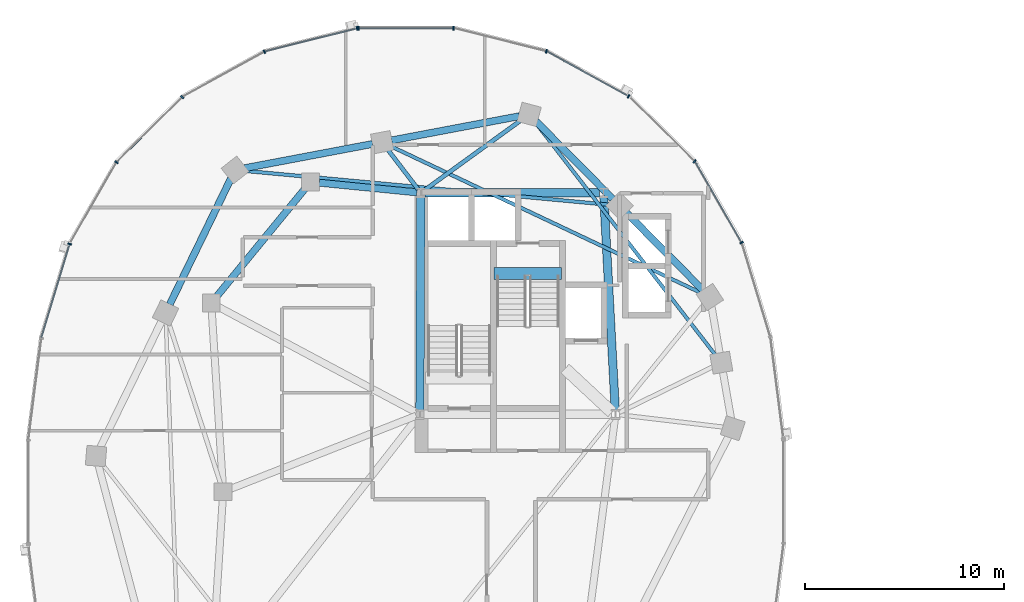
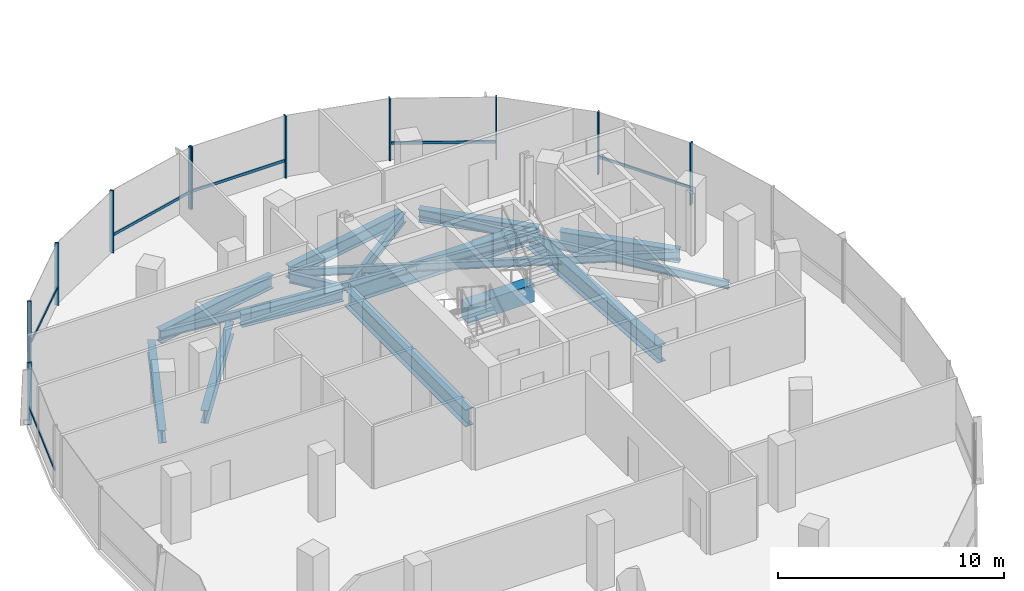
# One storey, part 5 of 22: 17 members, 16 beams, 2 elements without a shape of their own.
"""IFC4 building model written with IfcOpenShell, lengths in metres."""

from ifc_helpers import new_model, si_unit, direction, frame, origin, origin_2d, place, context, subcontext, project, spatial, rectangle, i_section, extrude, material, material_profile, profile_set, type_object, element, aggregate, save


model = new_model("IFC4")

# Units and contexts
model_context = context("Model", 3, precision=1e-05, world=origin(), true_north=direction((0.0, 1.0)))
body_context = subcontext(model_context, "Body", "Model", "MODEL_VIEW")
ifc_project = project(units=[si_unit("LENGTHUNIT", "METRE"), si_unit("AREAUNIT", "SQUARE_METRE"), si_unit("VOLUMEUNIT", "CUBIC_METRE"), si_unit("PLANEANGLEUNIT", "RADIAN"), si_unit("MASSUNIT", "GRAM", prefix="KILO"), si_unit("THERMODYNAMICTEMPERATUREUNIT", "KELVIN"), si_unit("POWERUNIT", "WATT")], contexts=[model_context])

# Site, building, storey
site_placement = place(None, origin())
site = spatial("IfcSite", under=ifc_project, at=site_placement, CompositionType="ELEMENT")
building_placement = place(site_placement, origin())
building = spatial("IfcBuilding", under=site, at=building_placement, Name="Cundina Bronze Exchange", CompositionType="ELEMENT")
storey_placement = place(building_placement, frame((0.0, 0.0, 147.60009765625)))
storey = spatial("IfcBuildingStorey", under=building, at=storey_placement, Name="L38", CompositionType="ELEMENT", Elevation=147.60009765625)

# Beams
ifc_material_1 = material(Name="Concrete C60/75", Category="concrete")
ifc_material_profile_1 = material_profile(ifc_material_1, rectangle(XDim=0.60009765625, YDim=0.949951171875, at=origin_2d()), Name="RC600X950", Category="concrete")
ifc_profile_set_1 = profile_set([ifc_material_profile_1], Name="Concrete C60/75")
beam_type_1 = type_object("IfcBeamType", Name="BM-COUP-RC950", PredefinedType="LINTEL", material=ifc_profile_set_1)
beam_1_placement = place(storey_placement, frame((-27.56005859375, 10.97998046875, -0.47509765625), z_axis=(1.0, 0.0, 0.0), x_axis=(0.0, 1.0, 0.0)))
element("IfcBeam", 1, at=beam_1_placement, inside=storey, type_object=beam_type_1, Name="L38 Stair W2 Landing Header Beam", PredefinedType="LINTEL", context=body_context, shape_type="SweptSolid", body=[
    extrude(rectangle(XDim=0.60009765625, YDim=0.949951171875, at=origin_2d()), origin(), (0.0, 0.0, 1.0), 3.400146484375),
])
ifc_material_2 = material(Name="Steel ASTM A992 Grade 50", Category="steel")
ifc_material_profile_2 = material_profile(ifc_material_2, i_section(OverallWidth=0.2119140625, OverallDepth=0.5439453125, WebThickness=0.01318359375, FlangeThickness=0.021240234375, FilletRadius=0.013916015625, at=origin_2d()), Name="W21X83", Category="steel")
ifc_profile_set_2 = profile_set([ifc_material_profile_2], Name="Steel ASTM A992 Grade 50")
beam_type_2 = type_object("IfcBeamType", Name="BM-FLR-W21A", PredefinedType="BEAM", material=ifc_profile_set_2)
beam_2_placement = place(storey_placement, frame((-31.084716796875, 15.169677734375, -0.51220703125), z_axis=(0.809693047063, 0.586853618492, 0.0), x_axis=(-0.586853618492, 0.809693047063, 0.0)))
element("IfcBeam", 2, at=beam_2_placement, inside=storey, type_object=beam_type_2, Name="L38 Leg W Radial Floor Beam 04", PredefinedType="BEAM", context=body_context, shape_type="SweptSolid", body=[
    extrude(i_section(OverallWidth=0.2119140625, OverallDepth=0.5439453125, WebThickness=0.01318359375, FlangeThickness=0.021240234375, FilletRadius=0.013916015625, at=origin_2d()), origin(), (0.0, 0.0, 1.0), 6.038818359375),
])
beam_3_placement = place(storey_placement, frame((-31.373779296875, 15.2119140625, -0.51220703125), z_axis=(-0.607450107571, 0.794357832977, 0.0), x_axis=(-0.794357832977, -0.607450107571, 0.0)))
element("IfcBeam", 3, at=beam_3_placement, inside=storey, type_object=beam_type_2, Name="L38 Leg W Radial Floor Beam 05", PredefinedType="BEAM", context=body_context, shape_type="SweptSolid", body=[
    extrude(i_section(OverallWidth=0.2119140625, OverallDepth=0.5439453125, WebThickness=0.01318359375, FlangeThickness=0.021240234375, FilletRadius=0.013916015625, at=origin_2d()), origin(), (0.0, 0.0, 1.0), 2.518310546875),
])
ifc_material_profile_3 = material_profile(ifc_material_2, i_section(OverallWidth=0.178955078125, OverallDepth=0.409912109375, WebThickness=0.0087890625, FlangeThickness=0.014404296875, FilletRadius=0.010986328125, at=origin_2d()), Name="W16X45", Category="steel")
ifc_profile_set_3 = profile_set([ifc_material_profile_3], Name="Steel ASTM A992 Grade 50")
beam_type_3 = type_object("IfcBeamType", Name="BM-JST-W16", PredefinedType="JOIST", material=ifc_profile_set_3)
beam_4_placement = place(storey_placement, frame((-16.423583984375, 6.885986328125, -0.445068359375), z_axis=(-0.61208354334, 0.790793105668, 0.0), x_axis=(-0.790793105668, -0.61208354334, 0.0)))
element("IfcBeam", 4, at=beam_4_placement, inside=storey, type_object=beam_type_3, Name="L38 Leg W Lobe Floor Joist 01-04", PredefinedType="JOIST", context=body_context, shape_type="SweptSolid", body=[
    extrude(i_section(OverallWidth=0.178955078125, OverallDepth=0.409912109375, WebThickness=0.0087890625, FlangeThickness=0.014404296875, FilletRadius=0.010986328125, at=origin_2d()), origin(), (0.0, 0.0, 1.0), 14.830810546875),
])
beam_5_placement = place(storey_placement, frame((-17.14111328125, 10.008544921875, -0.445068359375), z_axis=(-0.904074252188, 0.427375416385, 0.0), x_axis=(-0.427375416385, -0.904074252188, 0.0)))
element("IfcBeam", 5, at=beam_5_placement, inside=storey, type_object=beam_type_3, Name="L38 Leg W Lobe Floor Joist 02-05", PredefinedType="JOIST", context=body_context, shape_type="SweptSolid", body=[
    extrude(i_section(OverallWidth=0.178955078125, OverallDepth=0.409912109375, WebThickness=0.0087890625, FlangeThickness=0.014404296875, FilletRadius=0.010986328125, at=origin_2d()), origin(), (0.0, 0.0, 1.0), 17.274658203125),
])
beam_6_placement = place(storey_placement, frame((-21.73583984375, 14.4453125, -0.445068359375), z_axis=(-0.995701840093, 0.092616659595, 0.0), x_axis=(-0.092616659595, -0.995701840093, 0.0)))
element("IfcBeam", 6, at=beam_6_placement, inside=storey, type_object=beam_type_3, Name="L38 Leg W Lobe Floor Joist 03-06", PredefinedType="JOIST", context=body_context, shape_type="SweptSolid", body=[
    extrude(i_section(OverallWidth=0.178955078125, OverallDepth=0.409912109375, WebThickness=0.0087890625, FlangeThickness=0.014404296875, FilletRadius=0.010986328125, at=origin_2d()), origin(), (0.0, 0.0, 1.0), 18.45751953125),
])
ifc_material_profile_4 = material_profile(ifc_material_2, i_section(OverallWidth=0.35498046875, OverallDepth=0.695068359375, WebThickness=0.015380859375, FlangeThickness=0.02490234375, FilletRadius=0.01806640625, at=origin_2d()), Name="W27X146", Category="steel")
ifc_profile_set_4 = profile_set([ifc_material_profile_4], Name="Steel ASTM A992 Grade 50")
beam_type_4 = type_object("IfcBeamType", Name="BM-RING-W27", PredefinedType="USERDEFINED", material=ifc_profile_set_4)
beam_7_placement = place(storey_placement, frame((-31.452880859375, 15.070068359375, -0.587646484375), z_axis=(-0.995123020608, 0.098641643622, 0.0), x_axis=(-0.098641643622, -0.995123020608, 0.0)))
element("IfcBeam", 7, at=beam_7_placement, inside=storey, type_object=beam_type_4, Name="L38 W Inner Structural Ring Girder 01", ObjectType="GIRDER", PredefinedType="USERDEFINED", context=body_context, shape_type="SweptSolid", body=[
    extrude(i_section(OverallWidth=0.35498046875, OverallDepth=0.695068359375, WebThickness=0.015380859375, FlangeThickness=0.02490234375, FilletRadius=0.01806640625, at=origin_2d()), origin(), (0.0, 0.0, 1.0), 4.935302734375),
])
beam_8_placement = place(storey_placement, frame((-37.07763671875, 15.26123046875, -0.587646484375), z_axis=(-0.633912590175, -0.77340469873, 0.0), x_axis=(0.77340469873, -0.633912590175, 0.0)))
element("IfcBeam", 8, at=beam_8_placement, inside=storey, type_object=beam_type_4, Name="L38 W Inner Structural Ring Girder 02", ObjectType="GIRDER", PredefinedType="USERDEFINED", context=body_context, shape_type="SweptSolid", body=[
    extrude(i_section(OverallWidth=0.35498046875, OverallDepth=0.695068359375, WebThickness=0.015380859375, FlangeThickness=0.02490234375, FilletRadius=0.01806640625, at=origin_2d()), origin(), (0.0, 0.0, 1.0), 7.01123046875),
])
beam_9_placement = place(storey_placement, frame((-17.043212890625, 10.14697265625, -0.587646484375), z_axis=(-0.703230112979, 0.710962311378, 0.0), x_axis=(-0.710962311378, -0.703230112979, 0.0)))
element("IfcBeam", 9, at=beam_9_placement, inside=storey, type_object=beam_type_4, Name="L38 W Perimeter Ring Girder 02", ObjectType="GIRDER", PredefinedType="USERDEFINED", context=body_context, shape_type="SweptSolid", body=[
    extrude(i_section(OverallWidth=0.35498046875, OverallDepth=0.695068359375, WebThickness=0.015380859375, FlangeThickness=0.02490234375, FilletRadius=0.01806640625, at=origin_2d()), origin(), (0.0, 0.0, 1.0), 5.493896484375),
])
beam_10_placement = place(storey_placement, frame((-21.59326171875, 14.746826171875, -0.587646484375), z_axis=(-0.703207895705, 0.710984286337, 0.0), x_axis=(-0.710984286337, -0.703207895705, 0.0)))
element("IfcBeam", 10, at=beam_10_placement, inside=storey, type_object=beam_type_4, Name="L38 W Perimeter Ring Girder 03", ObjectType="GIRDER", PredefinedType="USERDEFINED", context=body_context, shape_type="SweptSolid", body=[
    extrude(i_section(OverallWidth=0.35498046875, OverallDepth=0.695068359375, WebThickness=0.015380859375, FlangeThickness=0.02490234375, FilletRadius=0.01806640625, at=origin_2d()), origin(), (0.0, 0.0, 1.0), 5.494140625),
])
beam_11_placement = place(storey_placement, frame((-26.279541015625, 18.9091796875, -0.587646484375), z_axis=(-0.982571532667, -0.185884865421, 0.0), x_axis=(0.185884865421, -0.982571532667, 0.0)))
element("IfcBeam", 11, at=beam_11_placement, inside=storey, type_object=beam_type_4, Name="L38 W Perimeter Ring Girder 04", ObjectType="GIRDER", PredefinedType="USERDEFINED", context=body_context, shape_type="SweptSolid", body=[
    extrude(i_section(OverallWidth=0.35498046875, OverallDepth=0.695068359375, WebThickness=0.015380859375, FlangeThickness=0.02490234375, FilletRadius=0.01806640625, at=origin_2d()), origin(), (0.0, 0.0, 1.0), 6.55517578125),
])
beam_12_placement = place(storey_placement, frame((-33.679443359375, 17.50927734375, -0.587646484375), z_axis=(-0.982572819495, -0.185878063226, 0.0), x_axis=(0.185878063226, -0.982572819495, 0.0)))
element("IfcBeam", 12, at=beam_12_placement, inside=storey, type_object=beam_type_4, Name="L38 W Perimeter Ring Girder 05", ObjectType="GIRDER", PredefinedType="USERDEFINED", context=body_context, shape_type="SweptSolid", body=[
    extrude(i_section(OverallWidth=0.35498046875, OverallDepth=0.695068359375, WebThickness=0.015380859375, FlangeThickness=0.02490234375, FilletRadius=0.01806640625, at=origin_2d()), origin(), (0.0, 0.0, 1.0), 6.555419921875),
])
beam_13_placement = place(storey_placement, frame((-40.8134765625, 15.760986328125, -0.587646484375), z_axis=(-0.437196998825, -0.89936576776, 0.0), x_axis=(0.89936576776, -0.437196998825, 0.0)))
element("IfcBeam", 13, at=beam_13_placement, inside=storey, type_object=beam_type_4, Name="L38 W Perimeter Ring Girder 06", ObjectType="GIRDER", PredefinedType="USERDEFINED", context=body_context, shape_type="SweptSolid", body=[
    extrude(i_section(OverallWidth=0.35498046875, OverallDepth=0.695068359375, WebThickness=0.015380859375, FlangeThickness=0.02490234375, FilletRadius=0.01806640625, at=origin_2d()), origin(), (0.0, 0.0, 1.0), 7.029541015625),
])
ifc_material_profile_5 = material_profile(ifc_material_2, i_section(OverallWidth=0.41796875, OverallDepth=0.927001953125, WebThickness=0.019287109375, FlangeThickness=0.031982421875, FilletRadius=0.02392578125, at=origin_2d()), Name="W36X231", Category="steel")
ifc_profile_set_5 = profile_set([ifc_material_profile_5], Name="Steel ASTM A992 Grade 50")
beam_type_5 = type_object("IfcBeamType", Name="BM-WRN-W36B", PredefinedType="USERDEFINED", material=ifc_profile_set_5)
beam_14_placement = place(storey_placement, frame((-21.4609375, 4.103759765625, -0.70361328125), z_axis=(-0.053739193498, 0.998555005537, 0.0), x_axis=(-0.998555005537, -0.053739193498, 0.0)))
element("IfcBeam", 14, at=beam_14_placement, inside=storey, type_object=beam_type_5, Name="L38 W Core Perimeter Tie Girder 2", ObjectType="GIRDER", PredefinedType="USERDEFINED", context=body_context, shape_type="SweptSolid", body=[
    extrude(i_section(OverallWidth=0.41796875, OverallDepth=0.927001953125, WebThickness=0.019287109375, FlangeThickness=0.031982421875, FilletRadius=0.02392578125, at=origin_2d()), origin(), (0.0, 0.0, 1.0), 10.758056640625),
])
beam_15_placement = place(storey_placement, frame((-22.25390625, 15.050048828125, -0.70361328125), z_axis=(-1.0, 0.0, 0.0), x_axis=(0.0, -1.0, 0.0)))
element("IfcBeam", 15, at=beam_15_placement, inside=storey, type_object=beam_type_5, Name="L38 W Core Perimeter Tie Girder 3", ObjectType="GIRDER", PredefinedType="USERDEFINED", context=body_context, shape_type="SweptSolid", body=[
    extrude(i_section(OverallWidth=0.41796875, OverallDepth=0.927001953125, WebThickness=0.019287109375, FlangeThickness=0.031982421875, FilletRadius=0.02392578125, at=origin_2d()), origin(), (0.0, 0.0, 1.0), 8.7919921875),
])
beam_16_placement = place(storey_placement, frame((-31.2509765625, 14.845947265625, -0.70361328125), z_axis=(-0.004477329608, -0.99998997671, 0.0), x_axis=(0.99998997671, -0.004477329608, 0.0)))
element("IfcBeam", 16, at=beam_16_placement, inside=storey, type_object=beam_type_5, Name="L38 W Core Perimeter Tie Girder 4", ObjectType="GIRDER", PredefinedType="USERDEFINED", context=body_context, shape_type="SweptSolid", body=[
    extrude(i_section(OverallWidth=0.41796875, OverallDepth=0.927001953125, WebThickness=0.019287109375, FlangeThickness=0.031982421875, FilletRadius=0.02392578125, at=origin_2d()), origin(), (0.0, 0.0, 1.0), 10.741943359375),
])

# Curtain wall, members
ifc_material_3 = material(Name="Anodised Bronze Aluminium 6063-T6", Category="aluminium")
curtain_wall_type = type_object("IfcCurtainWallType", Name="CWS-WST-PIN", PredefinedType="NOTDEFINED", material=ifc_material_3)
curtain_wall_1_placement = place(storey_placement, origin())
curtain_wall_1 = element("IfcCurtainWall", 17, at=curtain_wall_1_placement, inside=storey, type_object=curtain_wall_type, Name="L38 CW-04 Curtain Wall Run CWR-L38-W1", PredefinedType="NOTDEFINED")
ifc_material_profile_6 = material_profile(ifc_material_3, rectangle(XDim=0.070068359375, YDim=0.18994140625, at=origin_2d()), Name="AL70X190", Category="aluminium")
ifc_profile_set_6 = profile_set([ifc_material_profile_6], Name="Anodised Bronze Aluminium 6063-T6")
member_type_1 = type_object("IfcMemberType", Name="CWM-MUL-190", PredefinedType="MULLION", material=ifc_profile_set_6)
member_1_placement = place(storey_placement, frame((-15.10205078125, 12.541259765625, 0.0), z_axis=(0.0, 0.0, 1.0), x_axis=(-0.498487739754, 0.866896748936, 0.0)))
member_1 = element("IfcMember", 18, at=member_1_placement, type_object=member_type_1, Name="CW-04 Mullion 3", PredefinedType="MULLION", context=body_context, shape_type="SweptSolid", body=[
    extrude(rectangle(XDim=0.070068359375, YDim=0.18994140625, at=origin_2d()), origin(), (0.0, 0.0, 1.0), 3.35986328125),
])
member_2_placement = place(storey_placement, frame((-17.469482421875, 16.640380859375, 0.0), z_axis=(0.0, 0.0, 1.0), x_axis=(-0.712026045991, 0.702153052995, 0.0)))
member_2 = element("IfcMember", 19, at=member_2_placement, type_object=member_type_1, Name="CW-04 Mullion 4", PredefinedType="MULLION", context=body_context, shape_type="SweptSolid", body=[
    extrude(rectangle(XDim=0.070068359375, YDim=0.18994140625, at=origin_2d()), origin(), (0.0, 0.0, 1.0), 3.35986328125),
])
member_3_placement = place(storey_placement, frame((-20.79345703125, 19.906005859375, 0.0), z_axis=(0.0, 0.0, 1.0), x_axis=(-0.875885937035, 0.482518212408, 0.0)))
member_3 = element("IfcMember", 20, at=member_3_placement, type_object=member_type_1, Name="CW-04 Mullion 5", PredefinedType="MULLION", context=body_context, shape_type="SweptSolid", body=[
    extrude(rectangle(XDim=0.070068359375, YDim=0.18994140625, at=origin_2d()), origin(), (0.0, 0.0, 1.0), 3.35986328125),
])
member_4_placement = place(storey_placement, frame((-24.932373046875, 22.17626953125, 0.0), z_axis=(0.0, 0.0, 1.0), x_axis=(-0.970084240161, 0.242768546132, 0.0)))
member_4 = element("IfcMember", 21, at=member_4_placement, type_object=member_type_1, Name="CW-04 Mullion 6", PredefinedType="MULLION", context=body_context, shape_type="SweptSolid", body=[
    extrude(rectangle(XDim=0.070068359375, YDim=0.18994140625, at=origin_2d()), origin(), (0.0, 0.0, 1.0), 3.35986328125),
])
member_5_placement = place(storey_placement, frame((-29.60595703125, 23.3369140625, 0.0), z_axis=(0.0, 0.0, 1.0), x_axis=(-1.0, 0.0, 0.0)))
member_5 = element("IfcMember", 22, at=member_5_placement, type_object=member_type_1, Name="CW-04 Mullion 7", PredefinedType="MULLION", context=body_context, shape_type="SweptSolid", body=[
    extrude(rectangle(XDim=0.070068359375, YDim=0.18994140625, at=origin_2d()), origin(), (0.0, 0.0, 1.0), 3.35986328125),
])
member_6_placement = place(storey_placement, frame((-34.39404296875, 23.3369140625, 0.0), z_axis=(0.0, 0.0, 1.0), x_axis=(-1.0, 0.0, 0.0)))
member_6 = element("IfcMember", 23, at=member_6_placement, type_object=member_type_1, Name="CW-04 End Mullion", PredefinedType="MULLION", context=body_context, shape_type="SweptSolid", body=[
    extrude(rectangle(XDim=0.070068359375, YDim=0.18994140625, at=origin_2d()), origin(), (0.0, 0.0, 1.0), 3.35986328125),
])

curtain_wall_2_placement = place(storey_placement, origin())
curtain_wall_2 = element("IfcCurtainWall", 24, at=curtain_wall_2_placement, inside=storey, type_object=curtain_wall_type, Name="L38 CW-04 Curtain Wall Run CWR-L38-W2", PredefinedType="NOTDEFINED")
member_7_placement = place(storey_placement, frame((-34.462646484375, 23.32861328125, 0.0), z_axis=(0.0, 0.0, 1.0), x_axis=(-0.970084240161, -0.242768546132, 0.0)))
member_7 = element("IfcMember", 25, at=member_7_placement, type_object=member_type_1, Name="CW-04 Mullion 1", PredefinedType="MULLION", context=body_context, shape_type="SweptSolid", body=[
    extrude(rectangle(XDim=0.070068359375, YDim=0.18994140625, at=origin_2d()), origin(), (0.0, 0.0, 1.0), 3.35986328125),
])
member_8_placement = place(storey_placement, frame((-39.13037109375, 22.151611328125, 0.0), z_axis=(0.0, 0.0, 1.0), x_axis=(-0.875885937035, -0.482518212408, 0.0)))
member_8 = element("IfcMember", 26, at=member_8_placement, type_object=member_type_1, Name="CW-04 Mullion 2", PredefinedType="MULLION", context=body_context, shape_type="SweptSolid", body=[
    extrude(rectangle(XDim=0.070068359375, YDim=0.18994140625, at=origin_2d()), origin(), (0.0, 0.0, 1.0), 3.35986328125),
])
member_9_placement = place(storey_placement, frame((-43.259033203125, 19.86669921875, 0.0), z_axis=(0.0, 0.0, 1.0), x_axis=(-0.712026045991, -0.702153052995, 0.0)))
member_9 = element("IfcMember", 27, at=member_9_placement, type_object=member_type_1, Name="CW-04 Mullion 3", PredefinedType="MULLION", context=body_context, shape_type="SweptSolid", body=[
    extrude(rectangle(XDim=0.070068359375, YDim=0.18994140625, at=origin_2d()), origin(), (0.0, 0.0, 1.0), 3.35986328125),
])
member_10_placement = place(storey_placement, frame((-46.57080078125, 16.588134765625, 0.0), z_axis=(0.0, 0.0, 1.0), x_axis=(-0.498487739754, -0.866896748936, 0.0)))
member_10 = element("IfcMember", 28, at=member_10_placement, type_object=member_type_1, Name="CW-04 Mullion 4", PredefinedType="MULLION", context=body_context, shape_type="SweptSolid", body=[
    extrude(rectangle(XDim=0.070068359375, YDim=0.18994140625, at=origin_2d()), origin(), (0.0, 0.0, 1.0), 3.35986328125),
])
member_11_placement = place(storey_placement, frame((-48.92626953125, 12.4755859375, 0.0), z_axis=(0.0, 0.0, 1.0), x_axis=(-0.290034140915, -0.957016299288, 0.0)))
member_11 = element("IfcMember", 29, at=member_11_placement, type_object=member_type_1, Name="CW-04 Mullion 5", PredefinedType="MULLION", context=body_context, shape_type="SweptSolid", body=[
    extrude(rectangle(XDim=0.070068359375, YDim=0.18994140625, at=origin_2d()), origin(), (0.0, 0.0, 1.0), 3.35986328125),
])

# Member
ifc_material_profile_7 = material_profile(ifc_material_3, rectangle(XDim=0.06494140625, YDim=0.14990234375, at=origin_2d()), Name="AL65X150", Category="aluminium")
ifc_profile_set_7 = profile_set([ifc_material_profile_7], Name="Anodised Bronze Aluminium 6063-T6")
member_type_2 = type_object("IfcMemberType", Name="CWM-TRN-150", PredefinedType="USERDEFINED", material=ifc_profile_set_7)
member_12_placement = place(storey_placement, frame((-15.121337890625, 12.574462890625, 0.919921875), z_axis=(-0.498479967047, 0.866901218394, 0.0), x_axis=(-0.866901218394, -0.498479967047, 0.0)))
member_12 = element("IfcMember", 30, at=member_12_placement, type_object=member_type_2, Name="CW-04 Spandrel Transom 3", ObjectType="TRANSOM", PredefinedType="USERDEFINED", context=body_context, shape_type="SweptSolid", body=[
    extrude(rectangle(XDim=0.06494140625, YDim=0.14990234375, at=origin_2d()), origin(), (0.0, 0.0, 1.0), 4.66845703125),
])

member_13_placement = place(storey_placement, frame((-20.8271484375, 19.924560546875, 0.919921875), z_axis=(-0.875878981549, 0.482530838062, 0.0), x_axis=(-0.482530838062, -0.875878981549, 0.0)))
member_13 = element("IfcMember", 31, at=member_13_placement, type_object=member_type_2, Name="CW-04 Spandrel Transom 5", ObjectType="TRANSOM", PredefinedType="USERDEFINED", context=body_context, shape_type="SweptSolid", body=[
    extrude(rectangle(XDim=0.06494140625, YDim=0.14990234375, at=origin_2d()), origin(), (0.0, 0.0, 1.0), 4.65380859375),
])

member_14_placement = place(storey_placement, frame((-29.64453125, 23.3369140625, 0.919921875), z_axis=(-1.0, 0.0, 0.0), x_axis=(0.0, -1.0, 0.0)))
member_14 = element("IfcMember", 32, at=member_14_placement, type_object=member_type_2, Name="CW-04 Spandrel Transom 7", ObjectType="TRANSOM", PredefinedType="USERDEFINED", context=body_context, shape_type="SweptSolid", body=[
    extrude(rectangle(XDim=0.06494140625, YDim=0.14990234375, at=origin_2d()), origin(), (0.0, 0.0, 1.0), 4.7109375),
])

aggregate(curtain_wall_1, [member_1, member_12, member_2, member_3, member_13, member_4, member_5, member_6, member_14])

member_15_placement = place(storey_placement, frame((-34.5, 23.319091796875, 0.919921875), z_axis=(-0.970100130035, -0.242705042606, 0.0), x_axis=(0.242705042606, -0.970100130035, 0.0)))
member_15 = element("IfcMember", 33, at=member_15_placement, type_object=member_type_2, Name="CW-04 Spandrel Transom 1", ObjectType="TRANSOM", PredefinedType="USERDEFINED", context=body_context, shape_type="SweptSolid", body=[
    extrude(rectangle(XDim=0.06494140625, YDim=0.14990234375, at=origin_2d()), origin(), (0.0, 0.0, 1.0), 4.746826171875),
])

member_16_placement = place(storey_placement, frame((-43.28662109375, 19.839599609375, 0.919921875), z_axis=(-0.712005023839, -0.702174370102, 0.0), x_axis=(0.702174370102, -0.712005023839, 0.0)))
member_16 = element("IfcMember", 34, at=member_16_placement, type_object=member_type_2, Name="CW-04 Spandrel Transom 3", ObjectType="TRANSOM", PredefinedType="USERDEFINED", context=body_context, shape_type="SweptSolid", body=[
    extrude(rectangle(XDim=0.06494140625, YDim=0.14990234375, at=origin_2d()), origin(), (0.0, 0.0, 1.0), 4.594482421875),
])

member_17_placement = place(storey_placement, frame((-48.937255859375, 12.43896484375, 0.919921875), z_axis=(-0.290051855969, -0.957010930371, 0.0), x_axis=(0.957010930371, -0.290051855969, 0.0)))
member_17 = element("IfcMember", 35, at=member_17_placement, type_object=member_type_2, Name="CW-04 Spandrel Transom 5", ObjectType="TRANSOM", PredefinedType="USERDEFINED", context=body_context, shape_type="SweptSolid", body=[
    extrude(rectangle(XDim=0.06494140625, YDim=0.14990234375, at=origin_2d()), origin(), (0.0, 0.0, 1.0), 4.876953125),
])

aggregate(curtain_wall_2, [member_7, member_15, member_8, member_9, member_16, member_10, member_11, member_17])

save(model, "model.ifc")
